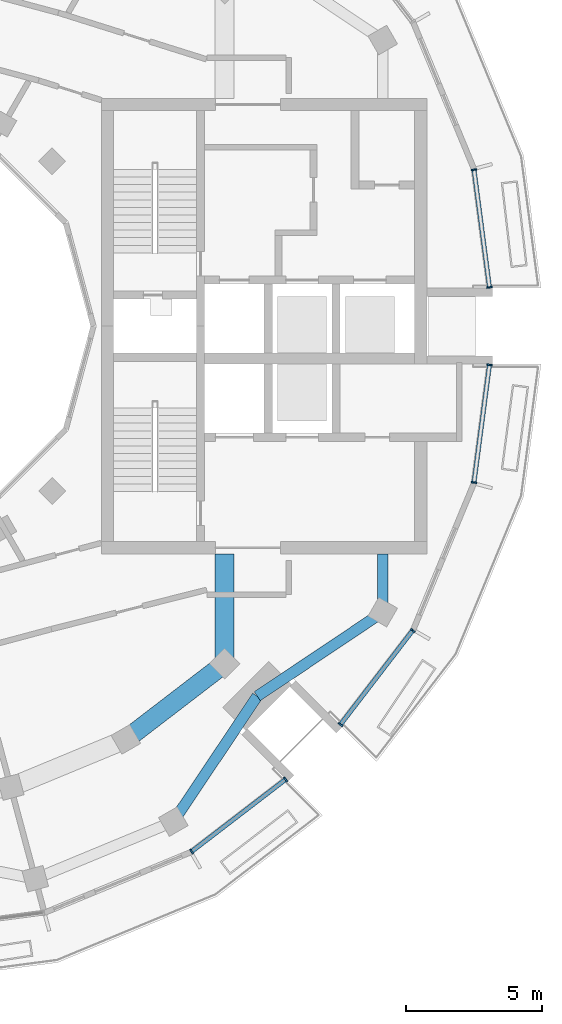
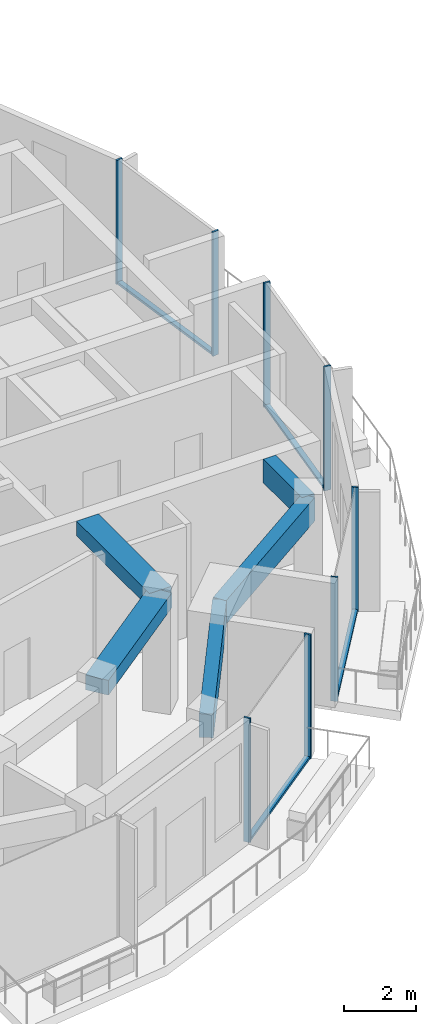
# One storey, part 4 of 16: 12 members, 5 beams, 4 elements without a shape of their own.
"""IFC4 building model written with IfcOpenShell, lengths in metres."""

from ifc_helpers import new_model, si_unit, direction, frame, origin, origin_2d, place, context, subcontext, project, spatial, rectangle, extrude, material, layer, layer_set, material_profile, profile_set, type_object, element, aggregate, save


model = new_model("IFC4")

# Units and contexts
model_context = context("Model", 3, precision=1e-05, world=origin(), true_north=direction((0.0, 1.0)))
body_context = subcontext(model_context, "Body", "Model", "MODEL_VIEW")
ifc_project = project(units=[si_unit("LENGTHUNIT", "METRE"), si_unit("AREAUNIT", "SQUARE_METRE"), si_unit("VOLUMEUNIT", "CUBIC_METRE"), si_unit("PLANEANGLEUNIT", "RADIAN"), si_unit("MASSUNIT", "GRAM", prefix="KILO")], contexts=[model_context])

# Site, building, storey
site_placement = place(None, origin())
site = spatial("IfcSite", under=ifc_project, at=site_placement, CompositionType="ELEMENT")
building_placement = place(site_placement, origin())
building = spatial("IfcBuilding", under=site, at=building_placement, Name="Torre Brocal", CompositionType="ELEMENT")
storey_placement = place(building_placement, frame((0.0, 0.0, 292.5)))
storey = spatial("IfcBuildingStorey", under=building, at=storey_placement, Name="L67", CompositionType="ELEMENT", Elevation=292.5)

# Curtain wall, members
ifc_material_1 = material(Name="Aluminium and glass", Category="aluminium")
ifc_layer_1 = layer(ifc_material_1, 0.199951171875)
ifc_layer_set_1 = layer_set([ifc_layer_1], Name="Aluminium and glass")
curtain_wall_type_1 = type_object("IfcCurtainWallType", Name="CW-1 CURTAIN WALL 4200 HIGH", PredefinedType="NOTDEFINED", material=ifc_layer_set_1)
curtain_wall_1_placement = place(storey_placement, origin())
curtain_wall_1 = element("IfcCurtainWall", 1, at=curtain_wall_1_placement, inside=storey, type_object=curtain_wall_type_1, Name="CW-1 RUN 21", PredefinedType="NOTDEFINED")
ifc_material_2 = material(Name="Aluminium, dark anodised", Category="aluminium")
ifc_material_profile_1 = material_profile(ifc_material_2, rectangle(XDim=0.199951171875, YDim=0.06005859375, at=origin_2d()), Name="CW-1 MULLION 60X200")
ifc_profile_set_1 = profile_set([ifc_material_profile_1], Name="Aluminium, dark anodised")
member_type_1 = type_object("IfcMemberType", Name="CW-1 MULLION 60X200", PredefinedType="MULLION", material=ifc_profile_set_1)
member_1_placement = place(storey_placement, frame((91.223388671875, 55.6201171875, 0.0), z_axis=(0.0, 0.0, 1.0), x_axis=(-0.608761429064, 0.793353340249, 0.0)))
member_1 = element("IfcMember", 2, at=member_1_placement, type_object=member_type_1, Name="CW1-5 mullion 1", PredefinedType="MULLION", context=body_context, shape_type="SweptSolid", body=[
    extrude(rectangle(XDim=0.199951171875, YDim=0.06005859375, at=origin_2d()), origin(), (0.0, 0.0, 1.0), 4.199951171875),
])
member_2_placement = place(storey_placement, frame((94.694580078125, 58.283447265625, 0.0), z_axis=(0.0, 0.0, 1.0), x_axis=(-0.608761429064, 0.793353340249, 0.0)))
member_2 = element("IfcMember", 3, at=member_2_placement, type_object=member_type_1, Name="CW1-5 mullion 2", PredefinedType="MULLION", context=body_context, shape_type="SweptSolid", body=[
    extrude(rectangle(XDim=0.199951171875, YDim=0.06005859375, at=origin_2d()), origin(), (0.0, 0.0, 1.0), 4.199951171875),
])

curtain_wall_2_placement = place(storey_placement, origin())
curtain_wall_2 = element("IfcCurtainWall", 4, at=curtain_wall_2_placement, inside=storey, type_object=curtain_wall_type_1, Name="CW-1 RUN 22", PredefinedType="NOTDEFINED")
member_3_placement = place(storey_placement, frame((96.716552734375, 60.305419921875, 0.0), z_axis=(0.0, 0.0, 1.0), x_axis=(-0.793353340249, 0.608761429064, 0.0)))
member_3 = element("IfcMember", 5, at=member_3_placement, type_object=member_type_1, Name="CW1-5 mullion 1", PredefinedType="MULLION", context=body_context, shape_type="SweptSolid", body=[
    extrude(rectangle(XDim=0.199951171875, YDim=0.06005859375, at=origin_2d()), origin(), (0.0, 0.0, 1.0), 4.199951171875),
])
member_4_placement = place(storey_placement, frame((99.3798828125, 63.776611328125, 0.0), z_axis=(0.0, 0.0, 1.0), x_axis=(-0.793353340249, 0.608761429064, 0.0)))
member_4 = element("IfcMember", 6, at=member_4_placement, type_object=member_type_1, Name="CW1-5 mullion 2", PredefinedType="MULLION", context=body_context, shape_type="SweptSolid", body=[
    extrude(rectangle(XDim=0.199951171875, YDim=0.06005859375, at=origin_2d()), origin(), (0.0, 0.0, 1.0), 4.199951171875),
])

# Member
ifc_material_3 = material(Name="Aluminium, dark anodised", Category="aluminium")
ifc_material_profile_2 = material_profile(ifc_material_3, rectangle(XDim=0.159912109375, YDim=0.080078125, at=origin_2d()), Name="CW-1 TRANSOM 160X80")
ifc_profile_set_2 = profile_set([ifc_material_profile_2], Name="Aluminium, dark anodised")
member_type_2 = type_object("IfcMemberType", Name="CW-1 TRANSOM 160X80", PredefinedType="USERDEFINED", material=ifc_profile_set_2)
member_5_placement = place(storey_placement, frame((91.2470703125, 55.63818359375, 0.0400390625), z_axis=(0.793332201462, 0.608788976677, 0.0), x_axis=(-0.608788976677, 0.793332201462, 0.0)))
member_5 = element("IfcMember", 7, at=member_5_placement, type_object=member_type_2, Name="CW1-5 transom 1.1", ObjectType="TRANSOM", PredefinedType="USERDEFINED", context=body_context, shape_type="SweptSolid", body=[
    extrude(rectangle(XDim=0.159912109375, YDim=0.080078125, at=origin_2d()), origin(), (0.0, 0.0, 1.0), 4.3154296875),
])

aggregate(curtain_wall_1, [member_1, member_2, member_5])

member_6_placement = place(storey_placement, frame((96.734619140625, 60.329345703125, 0.0400390625), z_axis=(0.608788976677, 0.793332201462, 0.0), x_axis=(-0.793332201462, 0.608788976677, 0.0)))
member_6 = element("IfcMember", 8, at=member_6_placement, type_object=member_type_2, Name="CW1-5 transom 1.1", ObjectType="TRANSOM", PredefinedType="USERDEFINED", context=body_context, shape_type="SweptSolid", body=[
    extrude(rectangle(XDim=0.159912109375, YDim=0.080078125, at=origin_2d()), origin(), (0.0, 0.0, 1.0), 4.3154296875),
])

aggregate(curtain_wall_2, [member_3, member_4, member_6])

# Curtain wall, members
ifc_material_4 = material(Name="Aluminium and glass", Category="aluminium")
ifc_layer_2 = layer(ifc_material_4, 0.199951171875)
ifc_layer_set_2 = layer_set([ifc_layer_2], Name="Aluminium and glass")
curtain_wall_type_2 = type_object("IfcCurtainWallType", Name="CW-1B CURTAIN WALL 4200 HIGH", PredefinedType="NOTDEFINED", material=ifc_layer_set_2)
curtain_wall_3_placement = place(storey_placement, origin())
curtain_wall_3 = element("IfcCurtainWall", 9, at=curtain_wall_3_placement, inside=storey, type_object=curtain_wall_type_2, Name="CW-1B RUN 1", PredefinedType="NOTDEFINED")
ifc_material_5 = material(Name="Aluminium, dark anodised", Category="aluminium")
ifc_material_profile_3 = material_profile(ifc_material_5, rectangle(XDim=0.199951171875, YDim=0.06005859375, at=origin_2d()), Name="CW-1B MULLION 60X200")
ifc_profile_set_3 = profile_set([ifc_material_profile_3], Name="Aluminium, dark anodised")
member_type_3 = type_object("IfcMemberType", Name="CW-1B MULLION 60X200", PredefinedType="MULLION", material=ifc_profile_set_3)
member_7_placement = place(storey_placement, frame((102.2109375, 76.4296875, 0.0), z_axis=(0.0, 0.0, 1.0), x_axis=(-0.991444861374, -0.13052619222, 0.0)))
member_7 = element("IfcMember", 10, at=member_7_placement, type_object=member_type_3, Name="CW1B-5 mullion 1", PredefinedType="MULLION", context=body_context, shape_type="SweptSolid", body=[
    extrude(rectangle(XDim=0.199951171875, YDim=0.06005859375, at=origin_2d()), origin(), (0.0, 0.0, 1.0), 4.199951171875),
])
member_8_placement = place(storey_placement, frame((101.639892578125, 80.767578125, 0.0), z_axis=(0.0, 0.0, 1.0), x_axis=(-0.991444861374, -0.13052619222, 0.0)))
member_8 = element("IfcMember", 11, at=member_8_placement, type_object=member_type_3, Name="CW1B-5 mullion 2", PredefinedType="MULLION", context=body_context, shape_type="SweptSolid", body=[
    extrude(rectangle(XDim=0.199951171875, YDim=0.06005859375, at=origin_2d()), origin(), (0.0, 0.0, 1.0), 4.199951171875),
])

curtain_wall_4_placement = place(storey_placement, origin())
curtain_wall_4 = element("IfcCurtainWall", 12, at=curtain_wall_4_placement, inside=storey, type_object=curtain_wall_type_2, Name="CW-1B RUN 24", PredefinedType="NOTDEFINED")
member_9_placement = place(storey_placement, frame((101.639892578125, 69.232421875, 0.0), z_axis=(0.0, 0.0, 1.0), x_axis=(-0.991444861374, 0.13052619222, 0.0)))
member_9 = element("IfcMember", 13, at=member_9_placement, type_object=member_type_3, Name="CW1B-5 mullion 1", PredefinedType="MULLION", context=body_context, shape_type="SweptSolid", body=[
    extrude(rectangle(XDim=0.199951171875, YDim=0.06005859375, at=origin_2d()), origin(), (0.0, 0.0, 1.0), 4.199951171875),
])
member_10_placement = place(storey_placement, frame((102.2109375, 73.5703125, 0.0), z_axis=(0.0, 0.0, 1.0), x_axis=(-0.991444861374, 0.13052619222, 0.0)))
member_10 = element("IfcMember", 14, at=member_10_placement, type_object=member_type_3, Name="CW1B-5 mullion 2", PredefinedType="MULLION", context=body_context, shape_type="SweptSolid", body=[
    extrude(rectangle(XDim=0.199951171875, YDim=0.06005859375, at=origin_2d()), origin(), (0.0, 0.0, 1.0), 4.199951171875),
])

# Member
ifc_material_6 = material(Name="Aluminium, dark anodised", Category="aluminium")
ifc_material_profile_4 = material_profile(ifc_material_6, rectangle(XDim=0.159912109375, YDim=0.080078125, at=origin_2d()), Name="CW-1B TRANSOM 160X80")
ifc_profile_set_4 = profile_set([ifc_material_profile_4], Name="Aluminium, dark anodised")
member_type_4 = type_object("IfcMemberType", Name="CW-1B TRANSOM 160X80", PredefinedType="USERDEFINED", material=ifc_profile_set_4)
member_11_placement = place(storey_placement, frame((102.20703125, 76.45947265625, 0.0400390625), z_axis=(-0.130521833991, 0.991445435136, 0.0), x_axis=(-0.991445435136, -0.130521833991, 0.0)))
member_11 = element("IfcMember", 15, at=member_11_placement, type_object=member_type_4, Name="CW1B-5 transom 1.1", ObjectType="TRANSOM", PredefinedType="USERDEFINED", context=body_context, shape_type="SweptSolid", body=[
    extrude(rectangle(XDim=0.159912109375, YDim=0.080078125, at=origin_2d()), origin(), (0.0, 0.0, 1.0), 4.315185546875),
])

aggregate(curtain_wall_3, [member_7, member_8, member_11])

member_12_placement = place(storey_placement, frame((101.643798828125, 69.26220703125, 0.0400390625), z_axis=(0.130521833991, 0.991445435136, 0.0), x_axis=(-0.991445435136, 0.130521833991, 0.0)))
member_12 = element("IfcMember", 16, at=member_12_placement, type_object=member_type_4, Name="CW1B-5 transom 1.1", ObjectType="TRANSOM", PredefinedType="USERDEFINED", context=body_context, shape_type="SweptSolid", body=[
    extrude(rectangle(XDim=0.159912109375, YDim=0.080078125, at=origin_2d()), origin(), (0.0, 0.0, 1.0), 4.315185546875),
])

aggregate(curtain_wall_4, [member_9, member_10, member_12])

# Beams
ifc_material_7 = material(Name="Concrete C50", Category="concrete")
ifc_material_profile_5 = material_profile(ifc_material_7, rectangle(XDim=0.699951171875, YDim=0.5, at=origin_2d()), Name="RC 700X500")
ifc_profile_set_5 = profile_set([ifc_material_profile_5], Name="Concrete C50")
beam_type_1 = type_object("IfcBeamType", Name="RC BEAM 700X500 C50 TOP 3880", PredefinedType="BEAM", material=ifc_profile_set_5)
beam_1_placement = place(storey_placement, frame((88.800048828125, 59.758056640625, 3.6298828125), z_axis=(0.793358265959, 0.6087550097, 0.0), x_axis=(-0.6087550097, 0.793358265959, 0.0)))
element("IfcBeam", 17, at=beam_1_placement, inside=storey, type_object=beam_type_1, Name="Beam BT-37", PredefinedType="BEAM", context=body_context, shape_type="SweptSolid", body=[
    extrude(rectangle(XDim=0.699951171875, YDim=0.5, at=origin_2d()), origin(), (0.0, 0.0, 1.0), 4.594482421875),
])
beam_2_placement = place(storey_placement, frame((92.445068359375, 62.554931640625, 3.6298828125), z_axis=(0.0, 1.0, 0.0), x_axis=(-1.0, 0.0, 0.0)))
element("IfcBeam", 18, at=beam_2_placement, inside=storey, type_object=beam_type_1, Name="Beam BT-37", PredefinedType="BEAM", context=body_context, shape_type="SweptSolid", body=[
    extrude(rectangle(XDim=0.699951171875, YDim=0.5, at=origin_2d()), origin(), (0.0, 0.0, 1.0), 4.045166015625),
])
ifc_material_8 = material(Name="Concrete C50", Category="concrete")
ifc_material_profile_6 = material_profile(ifc_material_8, rectangle(XDim=0.39990234375, YDim=0.800048828125, at=origin_2d()), Name="RC 400X800")
ifc_profile_set_6 = profile_set([ifc_material_profile_6], Name="Concrete C50")
beam_type_2 = type_object("IfcBeamType", Name="RC SPANDREL BEAM 400X800 C50 TOP 3880", PredefinedType="SPANDREL", material=ifc_profile_set_6)
for number, where, z_axis, x_axis, name in (
    (19, (90.550048828125, 56.726806640625, 3.47998046875), (0.556338604247, 0.830955689206, 0.0), (-0.830955689206, 0.556338604247, 0.0), "Beam BT-47"),
    (20, (93.647216796875, 61.352783203125, 3.47998046875), (0.830955689206, 0.556338604247, 0.0), (-0.556338604247, 0.830955689206, 0.0), "Beam BT-47"),
):
    element("IfcBeam", number, at=place(storey_placement, frame(where, z_axis=z_axis, x_axis=x_axis)), inside=storey, type_object=beam_type_2, Name=name, PredefinedType="SPANDREL", context=body_context, shape_type="SweptSolid", body=[
        extrude(rectangle(XDim=0.39990234375, YDim=0.800048828125, at=origin_2d()), origin(), (0.0, 0.0, 1.0), 5.567138671875),
    ])
beam_3_placement = place(storey_placement, frame((98.273193359375, 64.449951171875, 3.47998046875), z_axis=(0.0, 1.0, 0.0), x_axis=(-1.0, 0.0, 0.0)))
element("IfcBeam", 21, at=beam_3_placement, inside=storey, type_object=beam_type_2, Name="Beam BT-47", PredefinedType="SPANDREL", context=body_context, shape_type="SweptSolid", body=[
    extrude(rectangle(XDim=0.39990234375, YDim=0.800048828125, at=origin_2d()), origin(), (0.0, 0.0, 1.0), 2.150146484375),
])

save(model, "model.ifc")
